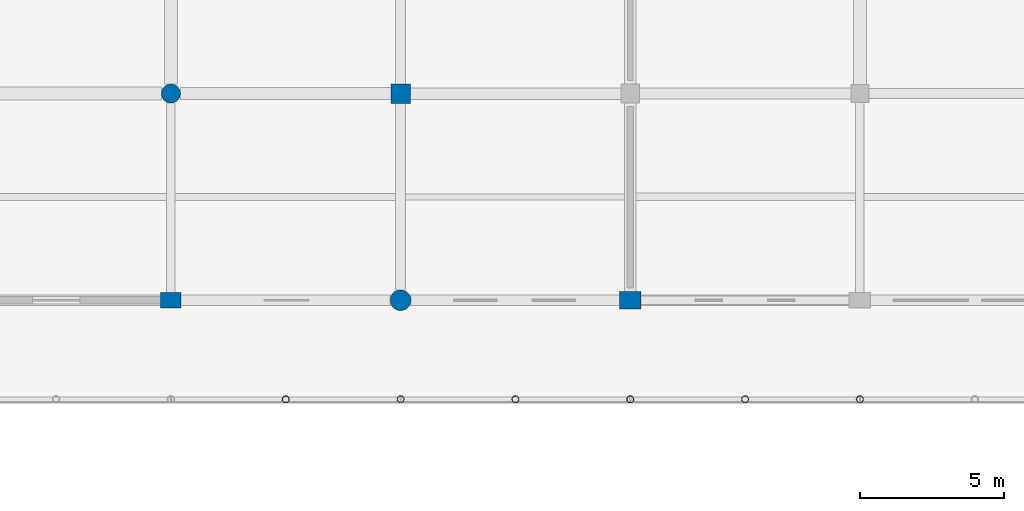
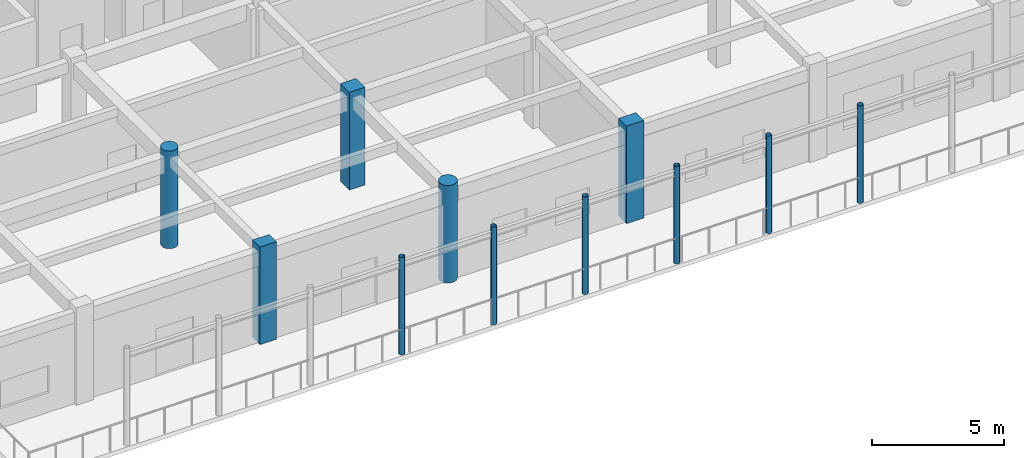
# One storey, part 21 of 160: 11 columns.
"""IFC4 building model written with IfcOpenShell, lengths in metres."""

from ifc_helpers import new_model, si_unit, direction, frame, origin, origin_2d, place, context, subcontext, project, spatial, rectangle, circle, hollow_circle, extrude, material, material_profile, profile_set, type_object, element, save


model = new_model("IFC4")

# Units and contexts
model_context = context("Model", 3, precision=1e-05, world=origin(), true_north=direction((0.0, 1.0)))
body_context = subcontext(model_context, "Body", "Model", "MODEL_VIEW")
ifc_project = project(units=[si_unit("LENGTHUNIT", "METRE"), si_unit("AREAUNIT", "SQUARE_METRE"), si_unit("VOLUMEUNIT", "CUBIC_METRE"), si_unit("PLANEANGLEUNIT", "RADIAN"), si_unit("MASSUNIT", "GRAM", prefix="KILO")], contexts=[model_context])

# Site, building, storey
site_placement = place(None, origin())
site = spatial("IfcSite", under=ifc_project, at=site_placement, CompositionType="ELEMENT")
building_placement = place(site_placement, origin())
building = spatial("IfcBuilding", under=site, at=building_placement, Name="Kharva Crest Polytechnic", CompositionType="ELEMENT")
storey_placement = place(building_placement, frame((0.0, 0.0, 4.5)))
storey = spatial("IfcBuildingStorey", under=building, at=storey_placement, Name="L01", CompositionType="ELEMENT", Elevation=4.5)

# Columns
ifc_material_1 = material(Name="Concrete C40/50", Category="concrete")
ifc_material_profile_1 = material_profile(ifc_material_1, rectangle(XDim=0.719970703125, YDim=0.550048828125, at=origin_2d()), Name="RECT 720 X 550")
ifc_profile_set_1 = profile_set([ifc_material_profile_1], Name="Concrete C40/50")
column_type_1 = type_object("IfcColumnType", Name="COL-EXT-720X550", PredefinedType="COLUMN", material=ifc_profile_set_1)
column_1_placement = place(storey_placement, frame((64.0, 100.39990234375, 0.0), z_axis=(0.0, 0.0, 1.0), x_axis=(1.0, 0.0, 0.0)))
element("IfcColumn", 1, at=column_1_placement, inside=storey, type_object=column_type_1, Name="L01 Column 9/P", PredefinedType="COLUMN", context=body_context, shape_type="SweptSolid", body=[
    extrude(rectangle(XDim=0.719970703125, YDim=0.550048828125, at=origin_2d()), origin(), (0.0, 0.0, 1.0), 4.5),
])
ifc_material_profile_2 = material_profile(ifc_material_1, rectangle(XDim=0.75, YDim=0.60009765625, at=origin_2d()), Name="RECT 750 X 600")
ifc_profile_set_2 = profile_set([ifc_material_profile_2], Name="Concrete C40/50")
column_type_2 = type_object("IfcColumnType", Name="COL-EXT-750X600", PredefinedType="COLUMN", material=ifc_profile_set_2)
column_2_placement = place(storey_placement, frame((80.0, 100.39990234375, 0.0), z_axis=(0.0, 0.0, 1.0), x_axis=(1.0, 0.0, 0.0)))
element("IfcColumn", 2, at=column_2_placement, inside=storey, type_object=column_type_2, Name="L01 Column 11/P", PredefinedType="COLUMN", context=body_context, shape_type="SweptSolid", body=[
    extrude(rectangle(XDim=0.75, YDim=0.60009765625, at=origin_2d()), origin(), (0.0, 0.0, 1.0), 4.5),
])
ifc_material_profile_3 = material_profile(ifc_material_1, circle(Radius=0.360107421875, at=origin_2d()), Name="DIA 720")
ifc_profile_set_3 = profile_set([ifc_material_profile_3], Name="Concrete C40/50")
column_type_3 = type_object("IfcColumnType", Name="COL-EXT-DIA720", PredefinedType="COLUMN", material=ifc_profile_set_3)
column_3_placement = place(storey_placement, frame((72.0, 100.39990234375, 0.0), z_axis=(0.0, 0.0, 1.0), x_axis=(1.0, 0.0, 0.0)))
element("IfcColumn", 3, at=column_3_placement, inside=storey, type_object=column_type_3, Name="L01 Column 10/P", PredefinedType="COLUMN", context=body_context, shape_type="SweptSolid", body=[
    extrude(circle(Radius=0.360107421875, at=origin_2d()), origin(), (0.0, 0.0, 1.0), 4.5),
])
ifc_material_profile_4 = material_profile(ifc_material_1, rectangle(XDim=0.679931640625, YDim=0.679931640625, at=origin_2d()), Name="RECT 680 X 680")
ifc_profile_set_4 = profile_set([ifc_material_profile_4], Name="Concrete C40/50")
column_type_4 = type_object("IfcColumnType", Name="COL-INT-680X680", PredefinedType="COLUMN", material=ifc_profile_set_4)
column_4_placement = place(storey_placement, frame((72.0, 107.60009765625, 0.0), z_axis=(0.0, 0.0, 1.0), x_axis=(1.0, 0.0, 0.0)))
element("IfcColumn", 4, at=column_4_placement, inside=storey, type_object=column_type_4, Name="L01 Column 10/Q", PredefinedType="COLUMN", context=body_context, shape_type="SweptSolid", body=[
    extrude(rectangle(XDim=0.679931640625, YDim=0.679931640625, at=origin_2d()), origin(), (0.0, 0.0, 1.0), 4.5),
])
ifc_material_profile_5 = material_profile(ifc_material_1, circle(Radius=0.330078125, at=origin_2d()), Name="DIA 660")
ifc_profile_set_5 = profile_set([ifc_material_profile_5], Name="Concrete C40/50")
column_type_5 = type_object("IfcColumnType", Name="COL-INT-DIA660", PredefinedType="COLUMN", material=ifc_profile_set_5)
column_5_placement = place(storey_placement, frame((64.0, 107.60009765625, 0.0), z_axis=(0.0, 0.0, 1.0), x_axis=(1.0, 0.0, 0.0)))
element("IfcColumn", 5, at=column_5_placement, inside=storey, type_object=column_type_5, Name="L01 Column 9/Q", PredefinedType="COLUMN", context=body_context, shape_type="SweptSolid", body=[
    extrude(circle(Radius=0.330078125, at=origin_2d()), origin(), (0.0, 0.0, 1.0), 4.5),
])
ifc_material_2 = material(Name="Steel S355", Category="steel")
ifc_material_profile_6 = material_profile(ifc_material_2, hollow_circle(Radius=0.122314453125, WallThickness=0.010009765625, at=origin_2d()), Name="CHS 244.5X10.0")
ifc_profile_set_6 = profile_set([ifc_material_profile_6], Name="Steel S355")
column_type_6 = type_object("IfcColumnType", Name="COL-STL-CHS244", PredefinedType="COLUMN", material=ifc_profile_set_6)
for number, where, z_axis, x_axis, name in (
    (6, (72.0, 96.949951171875, 0.0), (0.0, 0.0, 1.0), (1.0, 0.0, 0.0), "L01 Colonnade Column VN03"),
    (7, (80.0, 96.949951171875, 0.0), (0.0, 0.0, 1.0), (1.0, 0.0, 0.0), "L01 Colonnade Column VN04"),
    (8, (88.0, 96.949951171875, 0.0), (0.0, 0.0, 1.0), (1.0, 0.0, 0.0), "L01 Colonnade Column VN05"),
    (9, (68.0, 96.949951171875, 0.0), (0.0, 0.0, 1.0), (1.0, 0.0, 0.0), "L01 Colonnade Mid Column VNM02"),
    (10, (76.0, 96.949951171875, 0.0), (0.0, 0.0, 1.0), (1.0, 0.0, 0.0), "L01 Colonnade Mid Column VNM03"),
    (11, (84.0, 96.949951171875, 0.0), (0.0, 0.0, 1.0), (1.0, 0.0, 0.0), "L01 Colonnade Mid Column VNM04"),
):
    element("IfcColumn", number, at=place(storey_placement, frame(where, z_axis=z_axis, x_axis=x_axis)), inside=storey, type_object=column_type_6, Name=name, PredefinedType="COLUMN", context=body_context, shape_type="SweptSolid", body=[
        extrude(hollow_circle(Radius=0.122314453125, WallThickness=0.010009765625, at=origin_2d()), origin(), (0.0, 0.0, 1.0), 4.5),
    ])

save(model, "model.ifc")
